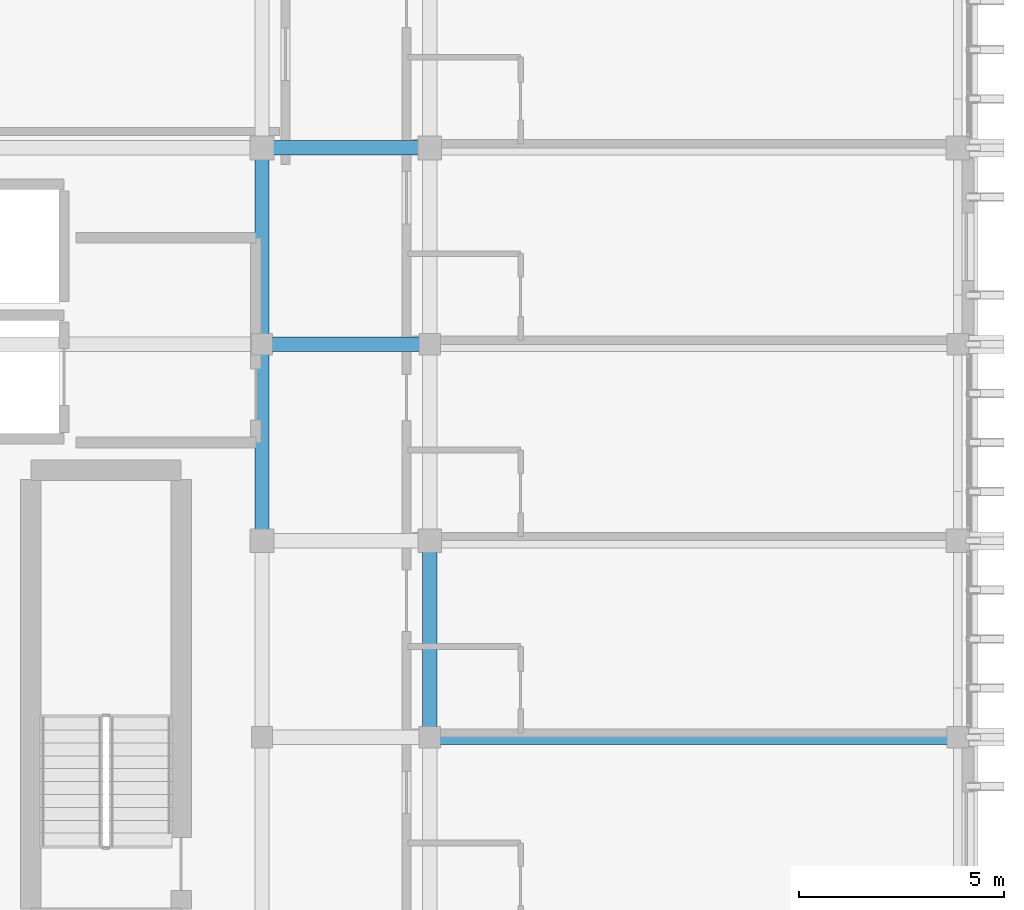
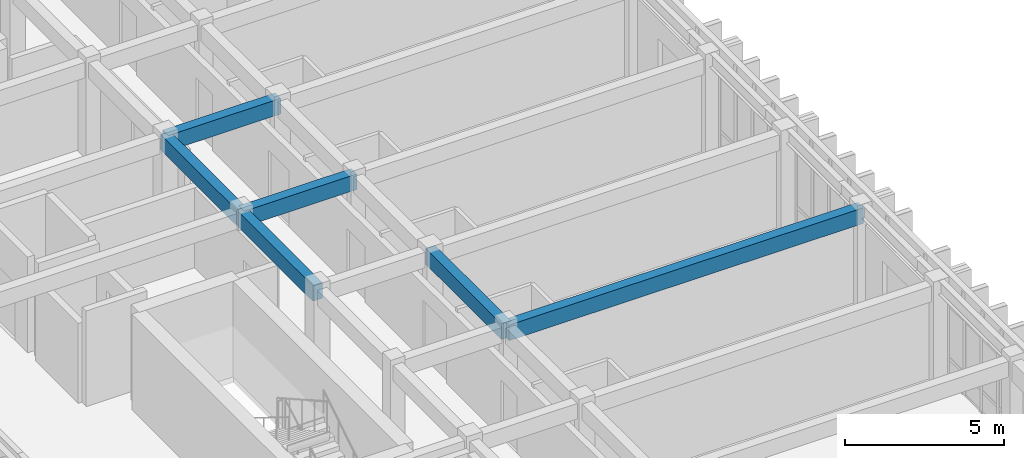
# One storey, part 14 of 49: 6 beams.
"""IFC4 building model written with IfcOpenShell, lengths in metres."""

from ifc_helpers import new_model, si_unit, direction, frame, origin, origin_2d, place, context, subcontext, project, spatial, rectangle, extrude, material, material_profile, profile_set, type_object, element, save


model = new_model("IFC4")

# Units and contexts
model_context = context("Model", 3, precision=1e-05, world=origin(), true_north=direction((0.0, 1.0)))
body_context = subcontext(model_context, "Body", "Model", "MODEL_VIEW")
ifc_project = project(units=[si_unit("LENGTHUNIT", "METRE"), si_unit("AREAUNIT", "SQUARE_METRE"), si_unit("VOLUMEUNIT", "CUBIC_METRE"), si_unit("PLANEANGLEUNIT", "RADIAN"), si_unit("MASSUNIT", "GRAM", prefix="KILO")], contexts=[model_context])

# Site, building, storey
site_placement = place(None, origin())
site = spatial("IfcSite", under=ifc_project, at=site_placement, CompositionType="ELEMENT")
building_placement = place(site_placement, origin())
building = spatial("IfcBuilding", under=site, at=building_placement, Name="Nakhvara Creek Congress Hotel", CompositionType="ELEMENT")
storey_placement = place(building_placement, frame((0.0, 0.0, 46.5)))
storey = spatial("IfcBuildingStorey", under=building, at=storey_placement, Name="L11", CompositionType="ELEMENT", Elevation=46.5)

# Beams
ifc_material = material(Name="Concrete C40/50", Category="concrete")
ifc_material_profile = material_profile(ifc_material, rectangle(XDim=0.35009765625, YDim=0.60009765625, at=origin_2d()), Name="RC-BM 350x600", Category="LoadBearing")
ifc_profile_set = profile_set([ifc_material_profile], Name="Concrete C40/50")
beam_type = type_object("IfcBeamType", Name="BM-RC-350X600", PredefinedType="BEAM", material=ifc_profile_set)
beam_1_placement = place(storey_placement, frame((162.35009765625, 86.39990234375, 3.3798828125), z_axis=(0.0, 1.0, 0.0), x_axis=(-1.0, 0.0, 0.0)))
element("IfcBeam", 1, at=beam_1_placement, inside=storey, type_object=beam_type, Name="Beam B07-L11-2733", PredefinedType="BEAM", context=body_context, shape_type="SweptSolid", body=[
    extrude(rectangle(XDim=0.35009765625, YDim=0.60009765625, at=origin_2d()), origin(), (0.0, 0.0, 1.0), 4.800048828125),
])
beam_2_placement = place(storey_placement, frame((162.35009765625, 96.0, 3.3798828125), z_axis=(1.0, 0.0, 0.0), x_axis=(0.0, 1.0, 0.0)))
element("IfcBeam", 2, at=beam_2_placement, inside=storey, type_object=beam_type, Name="Beam B07-L11-2734", PredefinedType="BEAM", context=body_context, shape_type="SweptSolid", body=[
    extrude(rectangle(XDim=0.35009765625, YDim=0.60009765625, at=origin_2d()), origin(), (0.0, 0.0, 1.0), 4.099853515625),
])
beam_3_placement = place(storey_placement, frame((162.35009765625, 91.199951171875, 3.3798828125), z_axis=(0.0, 1.0, 0.0), x_axis=(-1.0, 0.0, 0.0)))
element("IfcBeam", 3, at=beam_3_placement, inside=storey, type_object=beam_type, Name="Beam B07-L11-2735", PredefinedType="BEAM", context=body_context, shape_type="SweptSolid", body=[
    extrude(rectangle(XDim=0.35009765625, YDim=0.60009765625, at=origin_2d()), origin(), (0.0, 0.0, 1.0), 4.800048828125),
])
beam_4_placement = place(storey_placement, frame((166.449951171875, 81.60009765625, 3.3798828125), z_axis=(0.0, 1.0, 0.0), x_axis=(-1.0, 0.0, 0.0)))
element("IfcBeam", 4, at=beam_4_placement, inside=storey, type_object=beam_type, Name="Beam B07-L11-2751", PredefinedType="BEAM", context=body_context, shape_type="SweptSolid", body=[
    extrude(rectangle(XDim=0.35009765625, YDim=0.60009765625, at=origin_2d()), origin(), (0.0, 0.0, 1.0), 4.7998046875),
])
beam_5_placement = place(storey_placement, frame((162.35009765625, 91.199951171875, 3.3798828125), z_axis=(1.0, 0.0, 0.0), x_axis=(0.0, 1.0, 0.0)))
element("IfcBeam", 5, at=beam_5_placement, inside=storey, type_object=beam_type, Name="Beam B07-L11-2771", PredefinedType="BEAM", context=body_context, shape_type="SweptSolid", body=[
    extrude(rectangle(XDim=0.35009765625, YDim=0.60009765625, at=origin_2d()), origin(), (0.0, 0.0, 1.0), 4.099853515625),
])
beam_6_placement = place(storey_placement, frame((166.449951171875, 81.60009765625, 3.3798828125), z_axis=(1.0, 0.0, 0.0), x_axis=(0.0, 1.0, 0.0)))
element("IfcBeam", 6, at=beam_6_placement, inside=storey, type_object=beam_type, Name="Beam B07-L11-2776", PredefinedType="BEAM", context=body_context, shape_type="SweptSolid", body=[
    extrude(rectangle(XDim=0.35009765625, YDim=0.60009765625, at=origin_2d()), origin(), (0.0, 0.0, 1.0), 12.900146484375),
])

save(model, "model.ifc")
